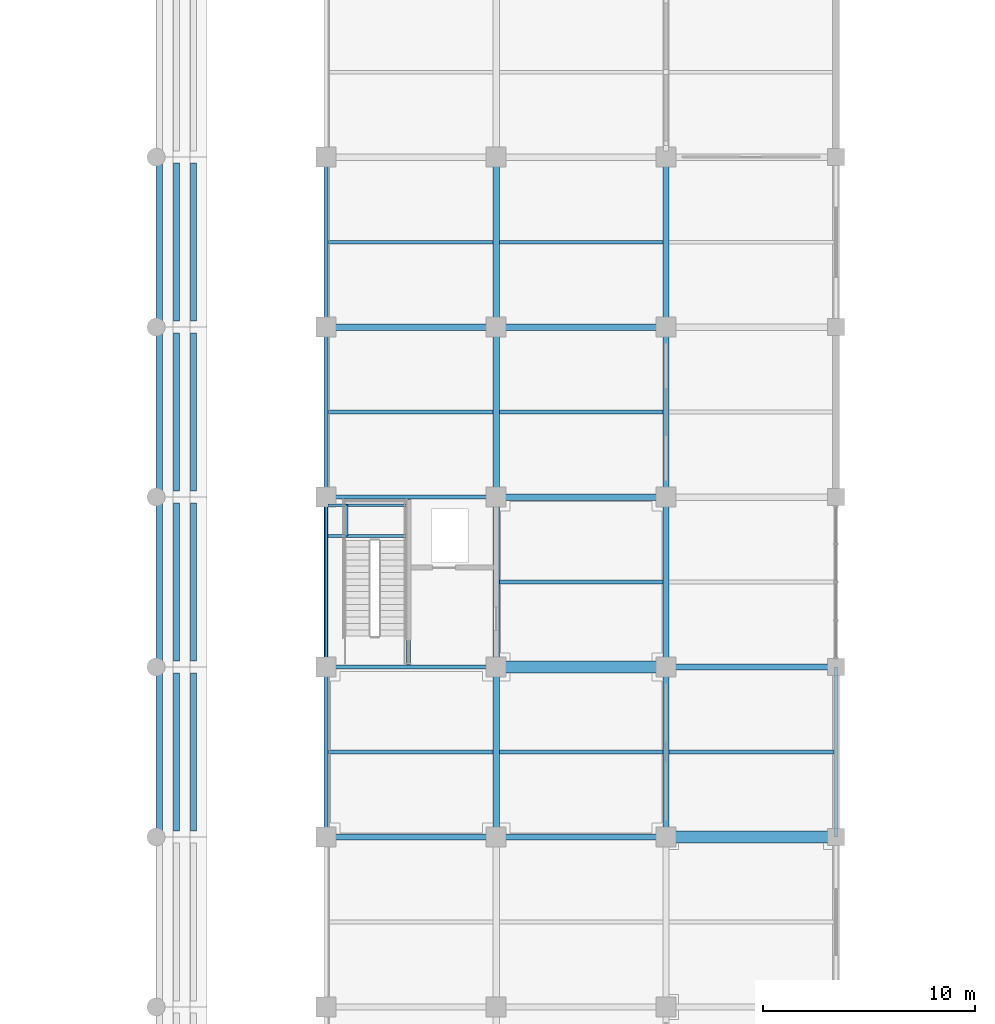
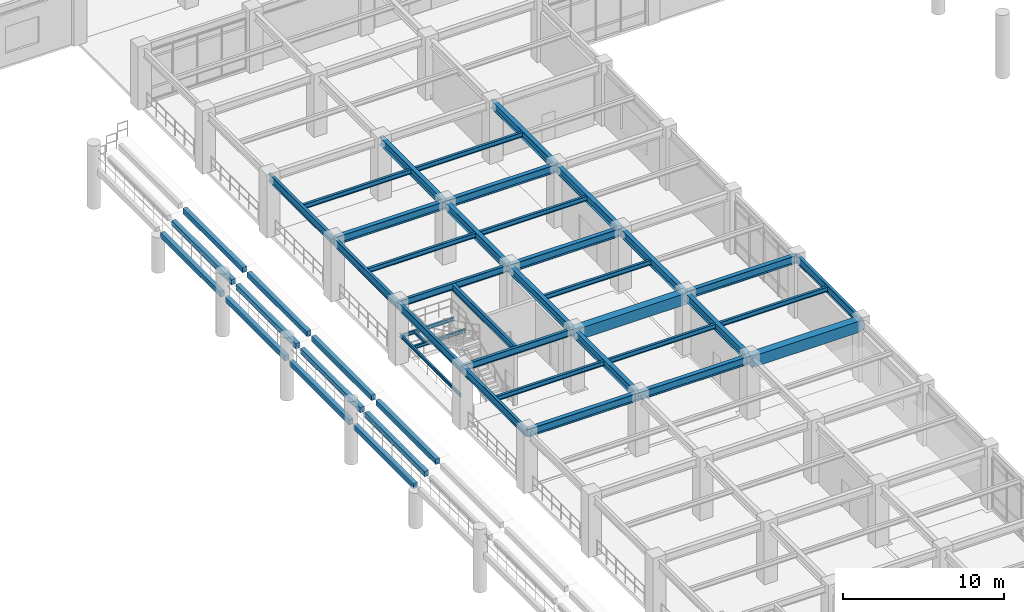
# One storey, part 32 of 109: 48 beams.
"""IFC4 building model written with IfcOpenShell, lengths in metres."""

from ifc_helpers import new_model, si_unit, direction, frame, origin, origin_2d, place, context, subcontext, project, spatial, rectangle, i_section, extrude, material, material_profile, profile_set, type_object, element, save


model = new_model("IFC4")

# Units and contexts
model_context = context("Model", 3, precision=1e-05, world=origin(), true_north=direction((0.0, 1.0)))
body_context = subcontext(model_context, "Body", "Model", "MODEL_VIEW")
ifc_project = project(units=[si_unit("LENGTHUNIT", "METRE"), si_unit("AREAUNIT", "SQUARE_METRE"), si_unit("VOLUMEUNIT", "CUBIC_METRE"), si_unit("PLANEANGLEUNIT", "RADIAN"), si_unit("MASSUNIT", "GRAM", prefix="KILO")], contexts=[model_context])

# Site, building, storey
site_placement = place(None, origin())
site = spatial("IfcSite", under=ifc_project, at=site_placement, CompositionType="ELEMENT")
building_placement = place(site_placement, origin())
building = spatial("IfcBuilding", under=site, at=building_placement, Name="Haebicheon Civic Stadium", CompositionType="ELEMENT")
storey_placement = place(building_placement, frame((0.0, 0.0, 9.60009765625)))
storey = spatial("IfcBuildingStorey", under=building, at=storey_placement, Name="L03", CompositionType="ELEMENT", Elevation=9.60009765625)

# Beams
ifc_material_1 = material(Name="Precast concrete C40/50", Category="concrete")
ifc_material_profile_1 = material_profile(ifc_material_1, rectangle(XDim=0.300048828125, YDim=0.39990234375, at=origin_2d()), Name="PC-LN-300x400")
ifc_profile_set_1 = profile_set([ifc_material_profile_1], Name="Precast concrete C40/50")
beam_type_1 = type_object("IfcBeamType", Name="BM-LN-300x400", PredefinedType="LINTEL", material=ifc_profile_set_1)
for number, where, z_axis, x_axis, name in (
    (1, (136.159912109375, 96.280029296875, 2.760009765625), (0.0, 1.0, 0.0), (-1.0, 0.0, 0.0), "TIER-E-U precast step carrier beam 7.1"),
    (2, (136.9599609375, 96.280029296875, 3.40380859375), (0.0, 1.0, 0.0), (-1.0, 0.0, 0.0), "TIER-E-U precast step carrier beam 7.2"),
    (3, (137.760009765625, 96.280029296875, 4.048828125), (0.0, 1.0, 0.0), (-1.0, 0.0, 0.0), "TIER-E-U precast step carrier beam 7.3"),
    (4, (136.159912109375, 104.280029296875, 2.760009765625), (0.0, 1.0, 0.0), (-1.0, 0.0, 0.0), "TIER-E-U precast step carrier beam 8.1"),
    (5, (136.9599609375, 104.280029296875, 3.40380859375), (0.0, 1.0, 0.0), (-1.0, 0.0, 0.0), "TIER-E-U precast step carrier beam 8.2"),
    (6, (137.760009765625, 104.280029296875, 4.048828125), (0.0, 1.0, 0.0), (-1.0, 0.0, 0.0), "TIER-E-U precast step carrier beam 8.3"),
    (7, (136.159912109375, 112.280029296875, 2.760009765625), (0.0, 1.0, 0.0), (-1.0, 0.0, 0.0), "TIER-E-U precast step carrier beam 9.1"),
    (8, (136.9599609375, 112.280029296875, 3.40380859375), (0.0, 1.0, 0.0), (-1.0, 0.0, 0.0), "TIER-E-U precast step carrier beam 9.2"),
    (9, (137.760009765625, 112.280029296875, 4.048828125), (0.0, 1.0, 0.0), (-1.0, 0.0, 0.0), "TIER-E-U precast step carrier beam 9.3"),
    (10, (136.159912109375, 120.280029296875, 2.760009765625), (0.0, 1.0, 0.0), (-1.0, 0.0, 0.0), "TIER-E-U precast step carrier beam 10.1"),
    (11, (136.9599609375, 120.280029296875, 3.40380859375), (0.0, 1.0, 0.0), (-1.0, 0.0, 0.0), "TIER-E-U precast step carrier beam 10.2"),
    (12, (137.760009765625, 120.280029296875, 4.048828125), (0.0, 1.0, 0.0), (-1.0, 0.0, 0.0), "TIER-E-U precast step carrier beam 10.3"),
):
    element("IfcBeam", number, at=place(storey_placement, frame(where, z_axis=z_axis, x_axis=x_axis)), inside=storey, type_object=beam_type_1, material=ifc_profile_set_1, Name=name, PredefinedType="LINTEL", context=body_context, shape_type="SweptSolid", body=[
        extrude(rectangle(XDim=0.300048828125, YDim=0.39990234375, at=origin_2d()), origin(), (0.0, 0.0, 1.0), 7.43994140625),
    ])
ifc_material_2 = material(Name="Concrete C40/50", Category="concrete")
ifc_material_profile_2 = material_profile(ifc_material_2, rectangle(XDim=0.550048828125, YDim=0.85009765625, at=origin_2d()), Name="RC-BM-550x850")
ifc_profile_set_2 = profile_set([ifc_material_profile_2], Name="Concrete C40/50")
beam_type_2 = type_object("IfcBeamType", Name="BM-RC-550x850", PredefinedType="BEAM", material=ifc_profile_set_2)
for number, where, z_axis, x_axis, name in (
    (13, (152.0, 104.0, 4.114990234375), (1.0, 0.0, 0.0), (0.0, 1.0, 0.0), "L03 beam P/20-21"),
    (14, (160.0, 96.0, 4.114990234375), (1.0, 0.0, 0.0), (0.0, 1.0, 0.0), "L03 beam N/21-22"),
):
    element("IfcBeam", number, at=place(storey_placement, frame(where, z_axis=z_axis, x_axis=x_axis)), inside=storey, type_object=beam_type_2, material=ifc_profile_set_2, Name=name, PredefinedType="BEAM", context=body_context, shape_type="SweptSolid", body=[
        extrude(rectangle(XDim=0.550048828125, YDim=0.85009765625, at=origin_2d()), origin(), (0.0, 0.0, 1.0), 8.0),
    ])
ifc_material_3 = material(Name="Steel SM355 (S355)", Category="steel")
ifc_material_profile_3 = material_profile(ifc_material_3, i_section(OverallWidth=0.199951171875, OverallDepth=0.5, WebThickness=0.010009765625, FlangeThickness=0.01611328125, at=origin_2d()), Name="H-500x200x10x16")
ifc_profile_set_3 = profile_set([ifc_material_profile_3], Name="Steel SM355 (S355)")
beam_type_3 = type_object("IfcBeamType", Name="BM-ST-H500", PredefinedType="BEAM", material=ifc_profile_set_3)
for number, where, z_axis, x_axis, name in (
    (15, (144.0, 104.0, 4.289794921875), (1.0, 0.0, 0.0), (0.0, 1.0, 0.0), "L03 beam P/19-20"),
    (16, (144.0, 112.0, 4.289794921875), (1.0, 0.0, 0.0), (0.0, 1.0, 0.0), "L03 beam Q/19-20"),
):
    element("IfcBeam", number, at=place(storey_placement, frame(where, z_axis=z_axis, x_axis=x_axis)), inside=storey, type_object=beam_type_3, material=ifc_profile_set_3, Name=name, PredefinedType="BEAM", context=body_context, shape_type="SweptSolid", body=[
        extrude(i_section(OverallWidth=0.199951171875, OverallDepth=0.5, WebThickness=0.010009765625, FlangeThickness=0.01611328125, at=origin_2d()), origin(), (0.0, 0.0, 1.0), 8.0),
    ])
beam_1_placement = place(storey_placement, frame((147.8798828125, 104.10009765625, 4.289794921875), z_axis=(0.0, 1.0, 0.0), x_axis=(-1.0, 0.0, 0.0)))
element("IfcBeam", 17, at=beam_1_placement, inside=storey, type_object=beam_type_3, material=ifc_profile_set_3, Name="L03 KC-11 core dividing wall support beam", PredefinedType="BEAM", context=body_context, shape_type="SweptSolid", body=[
    extrude(i_section(OverallWidth=0.199951171875, OverallDepth=0.5, WebThickness=0.010009765625, FlangeThickness=0.01611328125, at=origin_2d()), origin(), (0.0, 0.0, 1.0), 7.7998046875),
])
ifc_material_4 = material(Name="Steel SM355 (S355)", Category="steel")
ifc_material_profile_4 = material_profile(ifc_material_4, i_section(OverallWidth=0.300048828125, OverallDepth=0.60009765625, WebThickness=0.011962890625, FlangeThickness=0.02001953125, at=origin_2d()), Name="H-600x300x12x20")
ifc_profile_set_4 = profile_set([ifc_material_profile_4], Name="Steel SM355 (S355)")
beam_type_4 = type_object("IfcBeamType", Name="BM-ST-H600A", PredefinedType="BEAM", material=ifc_profile_set_4)
for number, where, z_axis, x_axis, name in (
    (18, (152.0, 96.0, 4.239990234375), (0.0, 1.0, 0.0), (-1.0, 0.0, 0.0), "L03 girder 20/N-P"),
    (19, (152.0, 104.0, 4.239990234375), (0.0, 1.0, 0.0), (-1.0, 0.0, 0.0), "L03 girder 20/P-Q"),
    (20, (152.0, 112.0, 4.239990234375), (0.0, 1.0, 0.0), (-1.0, 0.0, 0.0), "L03 girder 20/Q-R"),
    (21, (152.0, 120.0, 4.239990234375), (0.0, 1.0, 0.0), (-1.0, 0.0, 0.0), "L03 girder 20/R-S"),
    (22, (160.0, 96.0, 4.239990234375), (0.0, 1.0, 0.0), (-1.0, 0.0, 0.0), "L03 girder 21/N-P"),
    (23, (160.0, 104.0, 4.239990234375), (0.0, 1.0, 0.0), (-1.0, 0.0, 0.0), "L03 girder 21/P-Q"),
    (24, (160.0, 112.0, 4.239990234375), (0.0, 1.0, 0.0), (-1.0, 0.0, 0.0), "L03 girder 21/Q-R"),
    (25, (160.0, 120.0, 4.239990234375), (0.0, 1.0, 0.0), (-1.0, 0.0, 0.0), "L03 girder 21/R-S"),
    (26, (144.0, 96.0, 4.239990234375), (1.0, 0.0, 0.0), (0.0, 1.0, 0.0), "L03 beam N/19-20"),
    (27, (144.0, 120.0, 4.239990234375), (1.0, 0.0, 0.0), (0.0, 1.0, 0.0), "L03 beam R/19-20"),
    (28, (152.0, 96.0, 4.239990234375), (1.0, 0.0, 0.0), (0.0, 1.0, 0.0), "L03 beam N/20-21"),
    (29, (152.0, 112.0, 4.239990234375), (1.0, 0.0, 0.0), (0.0, 1.0, 0.0), "L03 beam Q/20-21"),
    (30, (152.0, 120.0, 4.239990234375), (1.0, 0.0, 0.0), (0.0, 1.0, 0.0), "L03 beam R/20-21"),
    (31, (160.0, 104.0, 4.239990234375), (1.0, 0.0, 0.0), (0.0, 1.0, 0.0), "L03 beam P/21-22"),
):
    element("IfcBeam", number, at=place(storey_placement, frame(where, z_axis=z_axis, x_axis=x_axis)), inside=storey, type_object=beam_type_4, material=ifc_profile_set_4, Name=name, PredefinedType="BEAM", context=body_context, shape_type="SweptSolid", body=[
        extrude(i_section(OverallWidth=0.300048828125, OverallDepth=0.60009765625, WebThickness=0.011962890625, FlangeThickness=0.02001953125, at=origin_2d()), origin(), (0.0, 0.0, 1.0), 8.0),
    ])
ifc_material_5 = material(Name="Steel SM355 (S355)", Category="steel")
ifc_material_profile_5 = material_profile(ifc_material_5, i_section(OverallWidth=0.125, OverallDepth=0.25, WebThickness=0.006103515625, FlangeThickness=0.009033203125, at=origin_2d()), Name="H-250x125x6x9")
ifc_profile_set_5 = profile_set([ifc_material_profile_5], Name="Steel SM355 (S355)")
beam_type_5 = type_object("IfcBeamType", Name="JST-ST-H250", PredefinedType="JOIST", material=ifc_profile_set_5)
beam_2_placement = place(storey_placement, frame((144.0, 104.199951171875, 2.072021484375), z_axis=(0.0, 1.0, 0.0), x_axis=(-1.0, 0.0, 0.0)))
element("IfcBeam", 32, at=beam_2_placement, inside=storey, type_object=beam_type_5, material=ifc_profile_set_5, Name="KC-11 L03 stair west grid landing carrier beam", PredefinedType="JOIST", context=body_context, shape_type="SweptSolid", body=[
    extrude(i_section(OverallWidth=0.125, OverallDepth=0.25, WebThickness=0.006103515625, FlangeThickness=0.009033203125, at=origin_2d()), origin(), (0.0, 0.0, 1.0), 7.60009765625),
])
for number, where, z_axis, x_axis, name in (
    (33, (144.080078125, 110.169921875, 2.072021484375), (1.0, 0.0, 0.0), (0.0, 1.0, 0.0), "KC-11 L03 stair half-landing front trimmer beam"),
    (34, (144.080078125, 111.6201171875, 2.072021484375), (1.0, 0.0, 0.0), (0.0, 1.0, 0.0), "KC-11 L03 stair half-landing rear trimmer beam"),
):
    element("IfcBeam", number, at=place(storey_placement, frame(where, z_axis=z_axis, x_axis=x_axis)), inside=storey, type_object=beam_type_5, material=ifc_profile_set_5, Name=name, PredefinedType="JOIST", context=body_context, shape_type="SweptSolid", body=[
        extrude(i_section(OverallWidth=0.125, OverallDepth=0.25, WebThickness=0.006103515625, FlangeThickness=0.009033203125, at=origin_2d()), origin(), (0.0, 0.0, 1.0), 3.719970703125),
    ])
beam_3_placement = place(storey_placement, frame((144.9599609375, 110.169921875, 2.072021484375), z_axis=(0.0, 1.0, 0.0), x_axis=(-1.0, 0.0, 0.0)))
element("IfcBeam", 35, at=beam_3_placement, inside=storey, type_object=beam_type_5, material=ifc_profile_set_5, Name="KC-11 L03 stair half-landing transverse tie beam", PredefinedType="JOIST", context=body_context, shape_type="SweptSolid", body=[
    extrude(i_section(OverallWidth=0.125, OverallDepth=0.25, WebThickness=0.006103515625, FlangeThickness=0.009033203125, at=origin_2d()), origin(), (0.0, 0.0, 1.0), 1.4501953125),
])
ifc_material_6 = material(Name="Steel SM355 (S355)", Category="steel")
ifc_material_profile_6 = material_profile(ifc_material_6, i_section(OverallWidth=0.175048828125, OverallDepth=0.35009765625, WebThickness=0.007080078125, FlangeThickness=0.010986328125, at=origin_2d()), Name="H-350x175x7x11")
ifc_profile_set_6 = profile_set([ifc_material_profile_6], Name="Steel SM355 (S355)")
beam_type_6 = type_object("IfcBeamType", Name="JST-ST-H350", PredefinedType="JOIST", material=ifc_profile_set_6)
for number, where, z_axis, x_axis, name in (
    (36, (144.10009765625, 100.0, 4.364990234375), (1.0, 0.0, 0.0), (0.0, 1.0, 0.0), "L03 secondary joist 18-12"),
    (37, (144.10009765625, 116.0, 4.364990234375), (1.0, 0.0, 0.0), (0.0, 1.0, 0.0), "L03 secondary joist 18-14"),
    (38, (144.10009765625, 124.0, 4.364990234375), (1.0, 0.0, 0.0), (0.0, 1.0, 0.0), "L03 secondary joist 18-15"),
):
    element("IfcBeam", number, at=place(storey_placement, frame(where, z_axis=z_axis, x_axis=x_axis)), inside=storey, type_object=beam_type_6, material=ifc_profile_set_6, Name=name, PredefinedType="JOIST", context=body_context, shape_type="SweptSolid", body=[
        extrude(i_section(OverallWidth=0.175048828125, OverallDepth=0.35009765625, WebThickness=0.007080078125, FlangeThickness=0.010986328125, at=origin_2d()), origin(), (0.0, 0.0, 1.0), 7.75),
    ])
for number, where, z_axis, x_axis, name in (
    (39, (152.14990234375, 100.0, 4.364990234375), (1.0, 0.0, 0.0), (0.0, 1.0, 0.0), "L03 secondary joist 19-12"),
    (40, (152.14990234375, 108.0, 4.364990234375), (1.0, 0.0, 0.0), (0.0, 1.0, 0.0), "L03 secondary joist 19-13"),
    (41, (152.14990234375, 116.0, 4.364990234375), (1.0, 0.0, 0.0), (0.0, 1.0, 0.0), "L03 secondary joist 19-14"),
    (42, (152.14990234375, 124.0, 4.364990234375), (1.0, 0.0, 0.0), (0.0, 1.0, 0.0), "L03 secondary joist 19-15"),
):
    element("IfcBeam", number, at=place(storey_placement, frame(where, z_axis=z_axis, x_axis=x_axis)), inside=storey, type_object=beam_type_6, material=ifc_profile_set_6, Name=name, PredefinedType="JOIST", context=body_context, shape_type="SweptSolid", body=[
        extrude(i_section(OverallWidth=0.175048828125, OverallDepth=0.35009765625, WebThickness=0.007080078125, FlangeThickness=0.010986328125, at=origin_2d()), origin(), (0.0, 0.0, 1.0), 7.7001953125),
    ])
beam_4_placement = place(storey_placement, frame((160.14990234375, 100.0, 4.364990234375), z_axis=(1.0, 0.0, 0.0), x_axis=(0.0, 1.0, 0.0)))
element("IfcBeam", 43, at=beam_4_placement, inside=storey, type_object=beam_type_6, material=ifc_profile_set_6, Name="L03 secondary joist 20-12", PredefinedType="JOIST", context=body_context, shape_type="SweptSolid", body=[
    extrude(i_section(OverallWidth=0.175048828125, OverallDepth=0.35009765625, WebThickness=0.007080078125, FlangeThickness=0.010986328125, at=origin_2d()), origin(), (0.0, 0.0, 1.0), 7.75),
])
ifc_material_7 = material(Name="Steel SM355 (S355)", Category="steel")
ifc_material_profile_7 = material_profile(ifc_material_7, i_section(OverallWidth=0.199951171875, OverallDepth=0.60009765625, WebThickness=0.010986328125, FlangeThickness=0.01708984375, at=origin_2d()), Name="H-600x200x11x17")
ifc_profile_set_7 = profile_set([ifc_material_profile_7], Name="Steel SM355 (S355)")
beam_type_7 = type_object("IfcBeamType", Name="SPD-ST-H600B", PredefinedType="SPANDREL", material=ifc_profile_set_7)
for number, where, z_axis, x_axis, name in (
    (44, (144.0, 96.0, 4.239990234375), (0.0, 1.0, 0.0), (-1.0, 0.0, 0.0), "L03 girder 19/N-P"),
    (45, (144.0, 104.0, 4.239990234375), (0.0, 1.0, 0.0), (-1.0, 0.0, 0.0), "L03 girder 19/P-Q"),
    (46, (144.0, 112.0, 4.239990234375), (0.0, 1.0, 0.0), (-1.0, 0.0, 0.0), "L03 girder 19/Q-R"),
    (47, (144.0, 120.0, 4.239990234375), (0.0, 1.0, 0.0), (-1.0, 0.0, 0.0), "L03 girder 19/R-S"),
    (48, (168.0, 96.0, 4.239990234375), (0.0, 1.0, 0.0), (-1.0, 0.0, 0.0), "L03 girder 22/N-P"),
):
    element("IfcBeam", number, at=place(storey_placement, frame(where, z_axis=z_axis, x_axis=x_axis)), inside=storey, type_object=beam_type_7, material=ifc_profile_set_7, Name=name, PredefinedType="SPANDREL", context=body_context, shape_type="SweptSolid", body=[
        extrude(i_section(OverallWidth=0.199951171875, OverallDepth=0.60009765625, WebThickness=0.010986328125, FlangeThickness=0.01708984375, at=origin_2d()), origin(), (0.0, 0.0, 1.0), 8.0),
    ])

save(model, "model.ifc")
